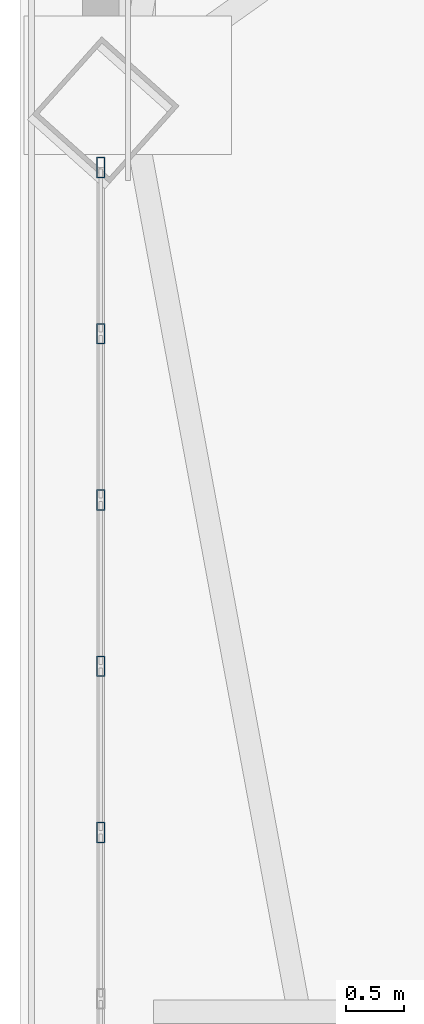
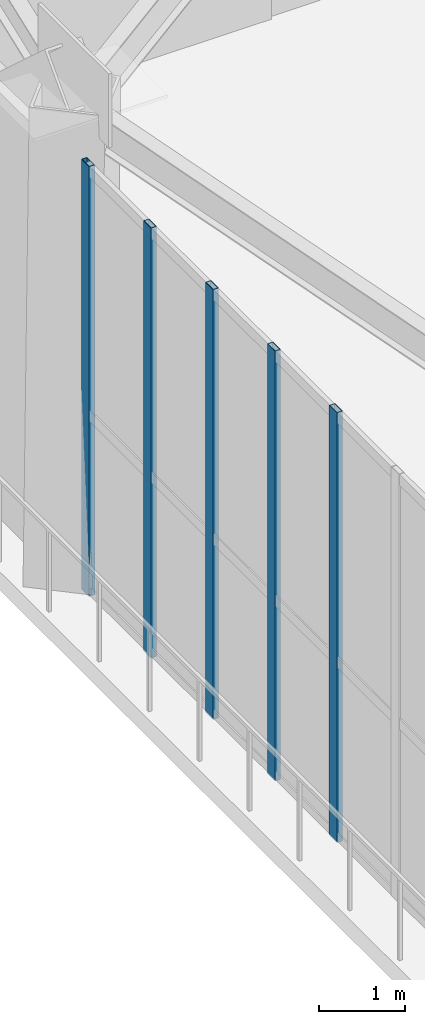
# One storey, part 5 of 22: 5 members, 1 element without a shape of its own.
"""IFC4 building model written with IfcOpenShell, lengths in metres."""

import ifcopenshell
import ifcopenshell.guid

model = None  # the IFC model being written
_history = None  # IfcOwnerHistory: only IFC2X3 demands one
_inside = {}  # id of a spatial element -> (the spatial element, [elements in it])
_under = {}  # id of a project, library or spatial element -> (it, [spatial elements below it])
_declared = {}  # id of a project -> (the project, [libraries it declares])
_typed = {}  # id of a type object -> (the type object, [elements of that type])
_made_of = {}  # id of a material, layer set ... -> (it, [elements and type objects made of it])


def new_model(schema):
    """Start an empty IFC model of exactly this schema.

    Asked for "IFC4X3", IfcOpenShell would pick the latest addendum, in which some entities
    have other attributes; the version numbers below select the first issue.
    IFC2X3 requires an IfcOwnerHistory on every rooted entity: one is made here for all.
    """
    global model, _history
    if schema == "IFC4X3":
        model = ifcopenshell.file(schema_version=(4, 3, 0, 0))
    else:
        model = ifcopenshell.file(schema=schema)
    _inside.clear()
    _under.clear()
    _declared.clear()
    _typed.clear()
    _made_of.clear()
    _history = None
    if model.schema == "IFC2X3":
        org = make("IfcOrganization", Name="unknown")
        user = make(
            "IfcPersonAndOrganization",
            ThePerson=make("IfcPerson", FamilyName="unknown"),
            TheOrganization=org,
        )
        app = make(
            "IfcApplication",
            ApplicationDeveloper=org,
            Version="unknown",
            ApplicationFullName="unknown",
            ApplicationIdentifier="unknown",
        )
        _history = make(
            "IfcOwnerHistory",
            OwningUser=user,
            OwningApplication=app,
            ChangeAction="ADDED",
            CreationDate=0,
        )
    return model


def make(cls, **values):
    """One entity of the class cls with the attributes given. An attribute that is None is left unset."""
    return model.create_entity(
        cls, **{name: value for name, value in values.items() if value is not None}
    )


def rooted(cls, **values):
    """An entity with a GlobalId (a new one), such as an element, a storey or a relation."""
    return make(cls, GlobalId=ifcopenshell.guid.new(), OwnerHistory=_history, **values)


def si_unit(unit_type, name, prefix=None):
    """IfcSIUnit, for example si_unit("LENGTHUNIT", "METRE", prefix="MILLI")."""
    return make("IfcSIUnit", UnitType=unit_type, Prefix=prefix, Name=name)


def assignment(units):
    """IfcUnitAssignment: the units of a project."""
    return None if units is None else make("IfcUnitAssignment", Units=units)


def point(xyz):
    """IfcCartesianPoint."""
    return None if xyz is None else make("IfcCartesianPoint", Coordinates=xyz)


def direction(xyz):
    """IfcDirection."""
    return None if xyz is None else make("IfcDirection", DirectionRatios=xyz)


def frame(location, z_axis=None, x_axis=None):
    """IfcAxis2Placement3D, a coordinate frame: its origin and axes. An axis left out is left unset."""
    return make(
        "IfcAxis2Placement3D",
        Location=point(location),
        Axis=direction(z_axis),
        RefDirection=direction(x_axis),
    )


def frame_2d(location, x_axis=None):
    """IfcAxis2Placement2D, a coordinate frame in the plane: its origin and x axis."""
    return make(
        "IfcAxis2Placement2D", Location=point(location), RefDirection=direction(x_axis)
    )


def origin():
    """The frame at (0, 0, 0) with its axes left unset."""
    return frame((0.0, 0.0, 0.0))


def origin_2d():
    """The frame at (0, 0) in the plane with its x axis left unset."""
    return frame_2d((0.0, 0.0))


def place(relative_to, where):
    """IfcLocalPlacement: puts the frame where relative to a parent placement (None: the world)."""
    return make(
        "IfcLocalPlacement", PlacementRelTo=relative_to, RelativePlacement=where
    )


def context(
    kind, dimensions, precision=None, world=None, true_north=None, identifier=None
):
    """IfcGeometricRepresentationContext, for example the 3D "Model" context."""
    return make(
        "IfcGeometricRepresentationContext",
        ContextIdentifier=identifier,
        ContextType=kind,
        CoordinateSpaceDimension=dimensions,
        Precision=precision,
        WorldCoordinateSystem=world,
        TrueNorth=true_north,
    )


def subcontext(parent, identifier, kind, view, scale=None):
    """IfcGeometricRepresentationSubContext, for example "Body" below "Model"."""
    return make(
        "IfcGeometricRepresentationSubContext",
        ContextIdentifier=identifier,
        ContextType=kind,
        ParentContext=parent,
        TargetScale=scale,
        TargetView=view,
    )


def project(units=None, contexts=None):
    """IfcProject with its units and contexts."""
    return rooted(
        "IfcProject",
        Name="project",
        RepresentationContexts=contexts,
        UnitsInContext=assignment(units),
    )


def spatial(cls, under=None, at=None, **own):
    """A site, building, storey or space (cls), placed at a placement, below another one or the project."""
    s = rooted(cls, ObjectPlacement=at, **own)
    if under is not None:
        _under.setdefault(under.id(), (under, []))[1].append(s)
    return s


def profile(cls, at=None, kind="AREA", **sizes):
    """A parametric profile (cls). Its sizes go by their IFC names, for example OverallWidth=200.0."""
    return make(cls, ProfileType=kind, Position=at, **sizes)


def hollow_rectangle(**sizes):
    """IfcRectangleHollowProfileDef."""
    return profile("IfcRectangleHollowProfileDef", **sizes)


def extrude(swept, where, along, depth):
    """IfcExtrudedAreaSolid: the profile swept, set in the frame where, extruded along a direction by depth."""
    return make(
        "IfcExtrudedAreaSolid",
        SweptArea=swept,
        Position=where,
        ExtrudedDirection=direction(along),
        Depth=depth,
    )


def shape(context_of_items, identifier, shape_type, items):
    """IfcShapeRepresentation: the items that make up one representation, for example the "Body"."""
    return make(
        "IfcShapeRepresentation",
        ContextOfItems=context_of_items,
        RepresentationIdentifier=identifier,
        RepresentationType=shape_type,
        Items=items,
    )


def source(mapping_origin, context_of_items, identifier, shape_type, items):
    """IfcRepresentationMap: a shape defined once, which mapped items show again and again."""
    return make(
        "IfcRepresentationMap",
        MappingOrigin=mapping_origin,
        MappedRepresentation=shape(context_of_items, identifier, shape_type, items),
    )


def transform(
    local_origin,
    x_axis=None,
    y_axis=None,
    z_axis=None,
    scale=None,
    scale2=None,
    scale3=None,
    uniform=True,
):
    """IfcCartesianTransformationOperator3D, or its non-uniform kind. x_axis, y_axis, z_axis: its Axis1, 2, 3."""
    if uniform:
        return make(
            "IfcCartesianTransformationOperator3D",
            Axis1=direction(x_axis),
            Axis2=direction(y_axis),
            LocalOrigin=point(local_origin),
            Scale=scale,
            Axis3=direction(z_axis),
        )
    return make(
        "IfcCartesianTransformationOperator3DnonUniform",
        Axis1=direction(x_axis),
        Axis2=direction(y_axis),
        LocalOrigin=point(local_origin),
        Scale=scale,
        Axis3=direction(z_axis),
        Scale2=scale2,
        Scale3=scale3,
    )


def mapped(mapping_source, mapping_target):
    """IfcMappedItem: shows the shape of a source again, moved by a transform."""
    return make(
        "IfcMappedItem", MappingSource=mapping_source, MappingTarget=mapping_target
    )


def material(Name=None, Category=None):
    """IfcMaterial."""
    return make("IfcMaterial", Name=Name, Category=Category)


def layer(
    of_material, thickness, ventilated=None, Name=None, Category=None, Priority=None
):
    """IfcMaterialLayer: one layer of a wall or slab, of a material (None: an air gap)."""
    return make(
        "IfcMaterialLayer",
        Material=of_material,
        LayerThickness=thickness,
        IsVentilated=ventilated,
        Name=Name,
        Category=Category,
        Priority=Priority,
    )


def layer_set(layers, Name=None):
    """IfcMaterialLayerSet."""
    return make("IfcMaterialLayerSet", MaterialLayers=layers, LayerSetName=Name)


def material_profile(
    of_material, cross_section, Name=None, Category=None, Priority=None
):
    """IfcMaterialProfile: a cross section and its material."""
    return make(
        "IfcMaterialProfile",
        Name=Name,
        Material=of_material,
        Profile=cross_section,
        Priority=Priority,
        Category=Category,
    )


def profile_set(profiles, Name=None, composite=None):
    """IfcMaterialProfileSet."""
    return make(
        "IfcMaterialProfileSet",
        Name=Name,
        MaterialProfiles=profiles,
        CompositeProfile=composite,
    )


def made_of(thing, what):
    """Note that an element or type object is made of a material, layer set ...; save() writes the relation."""
    if what is not None:
        _made_of.setdefault(what.id(), (what, []))[1].append(thing)
    return thing


def type_object(cls, material=None, **own):
    """A type object (cls), such as IfcWallType, which elements share."""
    return made_of(rooted(cls, **own), material)


def element(
    cls,
    number,
    at=None,
    inside=None,
    cuts=None,
    type_object=None,
    material=None,
    context=None,
    identifier="Body",
    shape_type=None,
    held_by="IfcProductDefinitionShape",
    body=None,
    shapes=None,
    **own,
):
    """One element of the class cls, such as IfcWall. Its Tag is "e" and its number.

    at: its placement. inside: the storey or other place that contains it. cuts: it is an
    opening in that element (IfcRelVoidsElement). A single representation is given by context,
    identifier, shape_type and body (its items); several are given by shapes. held_by: the class
    of the entity that holds the representations. save() writes the other relations.
    """
    e = rooted(cls, Tag="e%d" % number, ObjectPlacement=at, **own)
    if body is not None:
        shapes = [shape(context, identifier, shape_type, body)]
    if shapes is not None:
        e.Representation = make(held_by, Representations=shapes)
    if inside is not None:
        _inside.setdefault(inside.id(), (inside, []))[1].append(e)
    if cuts is not None:
        rooted(
            "IfcRelVoidsElement", RelatingBuildingElement=cuts, RelatedOpeningElement=e
        )
    if type_object is not None:
        _typed.setdefault(type_object.id(), (type_object, []))[1].append(e)
    return made_of(e, material)


def aggregate(whole, parts):
    """IfcRelAggregates: a whole, such as a stair, and the parts it consists of."""
    return rooted("IfcRelAggregates", RelatingObject=whole, RelatedObjects=parts)


def save(model, path):
    """Write the relations noted so far, then the file.

    IfcRelAggregates (storeys below a building ...), IfcRelContainedInSpatialStructure (elements
    in a storey), IfcRelDefinesByType, IfcRelAssociatesMaterial and IfcRelDeclares: one each for
    every whole, place, type object, material and project.
    """
    for whole, parts in _under.values():
        aggregate(whole, parts)
    for where, things in _inside.values():
        rooted(
            "IfcRelContainedInSpatialStructure",
            RelatedElements=things,
            RelatingStructure=where,
        )
    for kind, things in _typed.values():
        rooted("IfcRelDefinesByType", RelatedObjects=things, RelatingType=kind)
    for what, things in _made_of.values():
        rooted("IfcRelAssociatesMaterial", RelatedObjects=things, RelatingMaterial=what)
    for by, libraries in _declared.values():
        rooted("IfcRelDeclares", RelatingContext=by, RelatedDefinitions=libraries)
    model.write(path)


model = new_model("IFC4")

# Units and contexts
model_context = context("Model", 3, precision=1e-05, world=origin(), true_north=direction((0.0, 1.0)))
body_context = subcontext(model_context, "Body", "Model", "MODEL_VIEW")
ifc_project = project(units=[si_unit("LENGTHUNIT", "METRE"), si_unit("AREAUNIT", "SQUARE_METRE"), si_unit("VOLUMEUNIT", "CUBIC_METRE"), si_unit("PLANEANGLEUNIT", "RADIAN"), si_unit("MASSUNIT", "GRAM", prefix="KILO")], contexts=[model_context])

# Site, building, storey
site_placement = place(None, origin())
site = spatial("IfcSite", under=ifc_project, at=site_placement, CompositionType="ELEMENT")
building_placement = place(site_placement, origin())
building = spatial("IfcBuilding", under=site, at=building_placement, Name="Giltprow Tower", CompositionType="ELEMENT")
storey_placement = place(building_placement, frame((0.0, 0.0, 130.89990234375)))
storey = spatial("IfcBuildingStorey", under=building, at=storey_placement, Name="L32", CompositionType="ELEMENT", Elevation=130.89990234375)

# Curtain wall, members
ifc_material = material(Name="Anodized bronze", Category="metal")
ifc_layer = layer(ifc_material, 0.179931640625, Name="Anodized bronze")
ifc_layer_set = layer_set([ifc_layer], Name="Anodized bronze")
curtain_wall_type = type_object("IfcCurtainWallType", Name="CW-SKYGARDEN", PredefinedType="NOTDEFINED", material=ifc_layer_set)
curtain_wall_placement = place(storey_placement, origin())
curtain_wall = element("IfcCurtainWall", 1, at=curtain_wall_placement, inside=storey, type_object=curtain_wall_type, Name="L32 W Sky Garden Glazing", PredefinedType="NOTDEFINED")
ifc_material_profile = material_profile(ifc_material, hollow_rectangle(XDim=0.074951171875, YDim=0.179931640625, WallThickness=0.008056640625, at=origin_2d()), Name="RHS 180x75x8")
ifc_profile_set = profile_set([ifc_material_profile], Name="Anodized bronze")
member_type = type_object("IfcMemberType", Name="CW-MULLION-180x75", PredefinedType="MULLION", material=ifc_profile_set)
shared_shape = source(origin(), body_context, "Body", "SweptSolid", [
    extrude(hollow_rectangle(XDim=0.074951171875, YDim=0.179931640625, WallThickness=0.008056640625, at=origin_2d()), origin(), (0.0, 0.0, 1.0), 6.105224609375),
])
member_1_placement = place(storey_placement, frame((4.97900390625, 20.594970703125, -0.02001953125), z_axis=(0.0, 0.0, 1.0), x_axis=(1.0, 0.0, 0.0)))
member_1 = element("IfcMember", 2, at=member_1_placement, type_object=member_type, Name="L32 W Sky Garden Glazing Mullion 8", PredefinedType="MULLION", context=body_context, shape_type="MappedRepresentation", body=[
    mapped(shared_shape, transform((0.0, 0.0, 0.0), x_axis=(1.0, 0.0, 0.0), y_axis=(0.0, 1.0, 0.0), z_axis=(0.0, 0.0, 1.0), scale=1.0)),
])
member_2_placement = place(storey_placement, frame((4.97900390625, 22.035888671875, -0.02001953125), z_axis=(0.0, 0.0, 1.0), x_axis=(1.0, 0.0, 0.0)))
member_2 = element("IfcMember", 3, at=member_2_placement, type_object=member_type, Name="L32 W Sky Garden Glazing Mullion 9", PredefinedType="MULLION", context=body_context, shape_type="MappedRepresentation", body=[
    mapped(shared_shape, transform((0.0, 0.0, 0.0), x_axis=(1.0, 0.0, 0.0), y_axis=(0.0, 1.0, 0.0), z_axis=(0.0, 0.0, 1.0), scale=1.0)),
])
member_3_placement = place(storey_placement, frame((4.97900390625, 23.47705078125, -0.02001953125), z_axis=(0.0, 0.0, 1.0), x_axis=(1.0, 0.0, 0.0)))
member_3 = element("IfcMember", 4, at=member_3_placement, type_object=member_type, Name="L32 W Sky Garden Glazing Mullion 10", PredefinedType="MULLION", context=body_context, shape_type="MappedRepresentation", body=[
    mapped(shared_shape, transform((0.0, 0.0, 0.0), x_axis=(1.0, 0.0, 0.0), y_axis=(0.0, 1.0, 0.0), z_axis=(0.0, 0.0, 1.0), scale=1.0)),
])
member_4_placement = place(storey_placement, frame((4.97900390625, 24.91796875, -0.02001953125), z_axis=(0.0, 0.0, 1.0), x_axis=(1.0, 0.0, 0.0)))
member_4 = element("IfcMember", 5, at=member_4_placement, type_object=member_type, Name="L32 W Sky Garden Glazing Mullion 11", PredefinedType="MULLION", context=body_context, shape_type="MappedRepresentation", body=[
    mapped(shared_shape, transform((0.0, 0.0, 0.0), x_axis=(1.0, 0.0, 0.0), y_axis=(0.0, 1.0, 0.0), z_axis=(0.0, 0.0, 1.0), scale=1.0)),
])
member_5_placement = place(storey_placement, frame((4.97900390625, 26.35888671875, -0.02001953125), z_axis=(0.0, 0.0, 1.0), x_axis=(1.0, 0.0, 0.0)))
member_5 = element("IfcMember", 6, at=member_5_placement, type_object=member_type, Name="L32 W Sky Garden Glazing Mullion 12", PredefinedType="MULLION", context=body_context, shape_type="MappedRepresentation", body=[
    mapped(shared_shape, transform((0.0, 0.0, 0.0), x_axis=(1.0, 0.0, 0.0), y_axis=(0.0, 1.0, 0.0), z_axis=(0.0, 0.0, 1.0), scale=1.0)),
])
aggregate(curtain_wall, [member_1, member_2, member_3, member_4, member_5])

save(model, "model.ifc")
